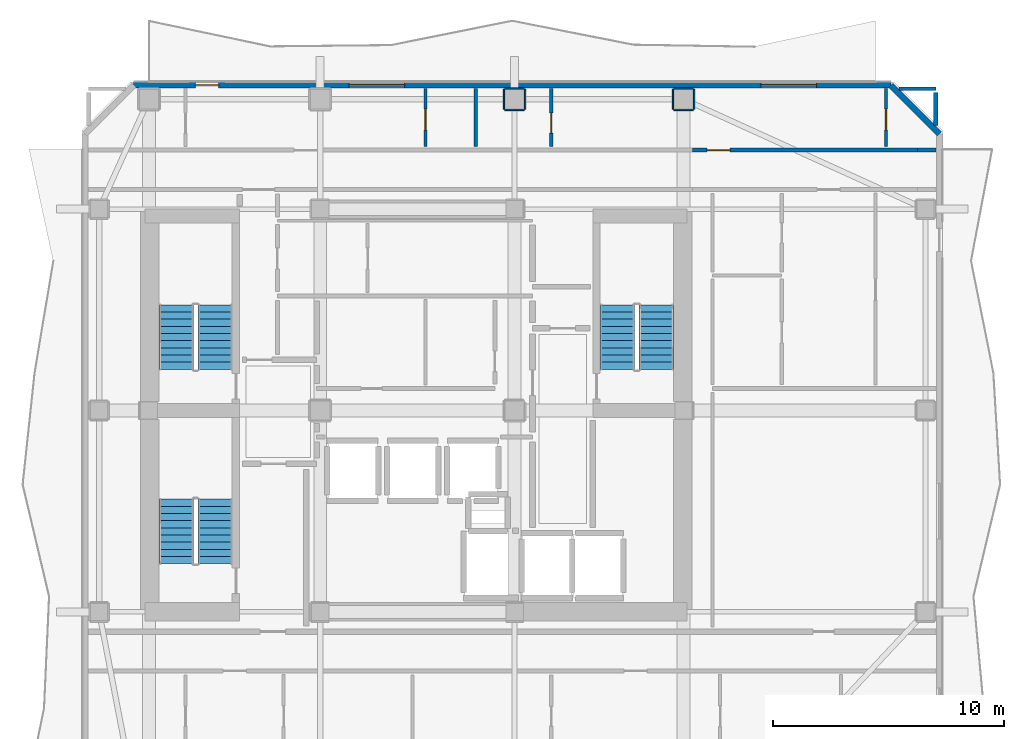
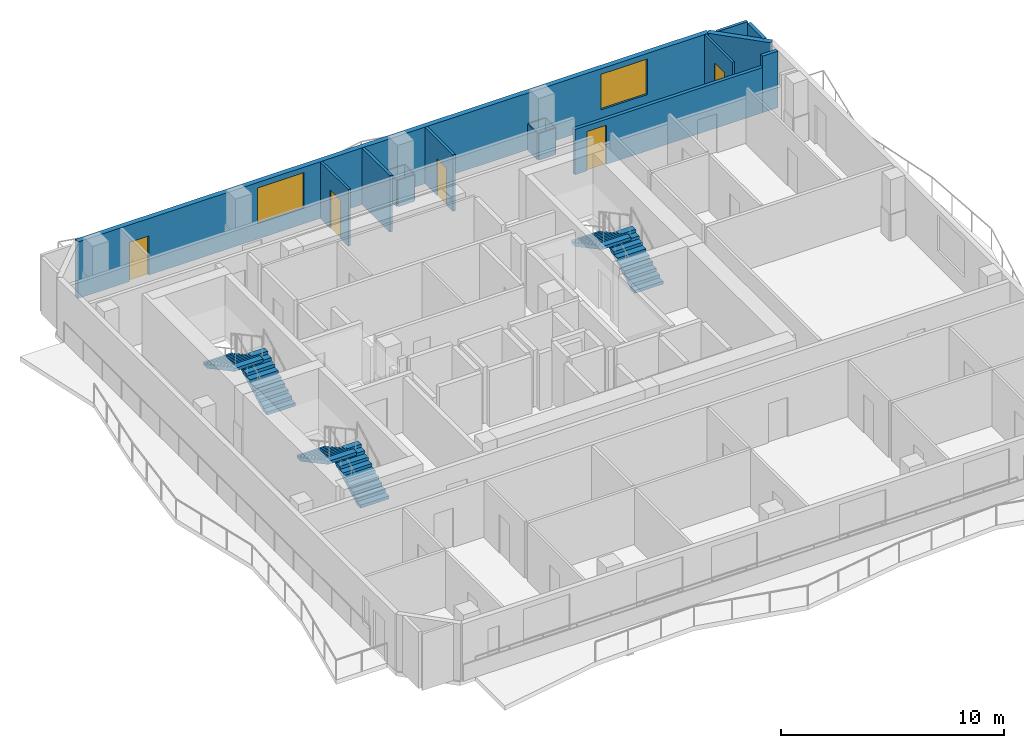
# One storey, part 6 of 9: 18 walls, 6 stair flights, 5 doors, 2 windows, 7 openings, 3 elements without a shape of their own.
"""IFC4 building model written with IfcOpenShell, lengths in metres."""

from ifc_helpers import new_model, si_unit, direction, frame, frame_2d, origin, place, context, subcontext, project, spatial, polyline, rectangle, outline, extrude, material, layer, layer_set, type_object, element, fill, aggregate, save


model = new_model("IFC4")

# Units and contexts
model_context = context("Model", 3, precision=1e-05, world=origin(), true_north=direction((0.0, 1.0)))
body_context = subcontext(model_context, "Body", "Model", "MODEL_VIEW")
ifc_project = project(units=[si_unit("LENGTHUNIT", "METRE"), si_unit("AREAUNIT", "SQUARE_METRE"), si_unit("VOLUMEUNIT", "CUBIC_METRE"), si_unit("PLANEANGLEUNIT", "RADIAN"), si_unit("MASSUNIT", "GRAM", prefix="KILO")], contexts=[model_context])

# Site, building, storey
site_placement = place(None, origin())
site = spatial("IfcSite", under=ifc_project, at=site_placement, CompositionType="ELEMENT")
building_placement = place(site_placement, origin())
building = spatial("IfcBuilding", under=site, at=building_placement, Name="Solanera Arch Residences", CompositionType="ELEMENT")
storey_placement = place(building_placement, frame((0.0, 0.0, 216.719970703125)))
storey = spatial("IfcBuildingStorey", under=building, at=storey_placement, Name="L63", CompositionType="ELEMENT", Elevation=216.719970703125)

# Walls
ifc_material_1 = material(Name="Fire-Rated Gypsum Stud Partition", Category="gypsum")
ifc_layer_1 = layer(ifc_material_1, 0.06005859375)
ifc_layer_set_1 = layer_set([ifc_layer_1], Name="Fire-Rated Gypsum Stud Partition")
wall_type_1 = type_object("IfcWallType", Name="Column Acoustic Furring Wall 60", PredefinedType="PARTITIONING", material=ifc_layer_set_1)
for number, where, z_axis, x_axis, name in (
    (1, (28.77490234375, 43.693115234375, 0.0), (0.0, 0.0, 1.0), (1.0, 0.0, 0.0), "L63 Column Furring 14S"),
    (2, (28.77490234375, 44.60693359375, 0.0), (0.0, 0.0, 1.0), (1.0, 0.0, 0.0), "L63 Column Furring 14N"),
):
    element("IfcWall", number, at=place(storey_placement, frame(where, z_axis=z_axis, x_axis=x_axis)), inside=storey, type_object=wall_type_1, Name=name, PredefinedType="PARTITIONING", context=body_context, shape_type="SweptSolid", body=[
        extrude(rectangle(XDim=0.85009765625, YDim=0.06005859375, at=frame_2d((0.425048828125, 0.0))), origin(), (0.0, 0.0, 1.0), 1.449951171875),
    ])
for number, where, z_axis, x_axis, name in (
    (3, (28.742919921875, 43.72509765625, 0.0), (0.0, 0.0, 1.0), (0.0, 1.0, 0.0), "L63 Column Furring 14W"),
    (4, (29.656982421875, 43.72509765625, 0.0), (0.0, 0.0, 1.0), (0.0, 1.0, 0.0), "L63 Column Furring 14E"),
):
    element("IfcWall", number, at=place(storey_placement, frame(where, z_axis=z_axis, x_axis=x_axis)), inside=storey, type_object=wall_type_1, Name=name, PredefinedType="PARTITIONING", context=body_context, shape_type="SweptSolid", body=[
        extrude(rectangle(XDim=0.849853515625, YDim=0.06005859375, at=frame_2d((0.4248046875, 0.0))), origin(), (0.0, 0.0, 1.0), 1.449951171875),
    ])
for number, where, z_axis, x_axis, name in (
    (5, (36.074951171875, 43.693115234375, 0.0), (0.0, 0.0, 1.0), (1.0, 0.0, 0.0), "L63 Column Furring 16S"),
    (6, (36.074951171875, 44.60693359375, 0.0), (0.0, 0.0, 1.0), (1.0, 0.0, 0.0), "L63 Column Furring 16N"),
):
    element("IfcWall", number, at=place(storey_placement, frame(where, z_axis=z_axis, x_axis=x_axis)), inside=storey, type_object=wall_type_1, Name=name, PredefinedType="PARTITIONING", context=body_context, shape_type="SweptSolid", body=[
        extrude(rectangle(XDim=0.85009765625, YDim=0.06005859375, at=frame_2d((0.425048828125, 0.0))), origin(), (0.0, 0.0, 1.0), 1.449951171875),
    ])
for number, where, z_axis, x_axis, name in (
    (7, (36.04296875, 43.72509765625, 0.0), (0.0, 0.0, 1.0), (0.0, 1.0, 0.0), "L63 Column Furring 16W"),
    (8, (36.95703125, 43.72509765625, 0.0), (0.0, 0.0, 1.0), (0.0, 1.0, 0.0), "L63 Column Furring 16E"),
):
    element("IfcWall", number, at=place(storey_placement, frame(where, z_axis=z_axis, x_axis=x_axis)), inside=storey, type_object=wall_type_1, Name=name, PredefinedType="PARTITIONING", context=body_context, shape_type="SweptSolid", body=[
        extrude(rectangle(XDim=0.849853515625, YDim=0.06005859375, at=frame_2d((0.4248046875, 0.0))), origin(), (0.0, 0.0, 1.0), 1.449951171875),
    ])

# Wall, opening, door
ifc_material_2 = material(Name="Autoclaved Aerated Concrete Blockwork", Category="masonry")
ifc_layer_2 = layer(ifc_material_2, 0.179931640625)
ifc_layer_set_2 = layer_set([ifc_layer_2], Name="Autoclaved Aerated Concrete Blockwork")
wall_type_2 = type_object("IfcWallType", Name="Corridor Fire Partition 180", PredefinedType="PARTITIONING", material=ifc_layer_set_2)
wall_1_placement = place(storey_placement, frame((36.888916015625, 41.949951171875, 0.0), z_axis=(0.0, 0.0, 1.0), x_axis=(1.0, 0.0, 0.0)))
wall_1 = element("IfcWall", 9, at=wall_1_placement, inside=storey, type_object=wall_type_2, Name="L63 Interior Partition H13 2", PredefinedType="PARTITIONING", context=body_context, shape_type="SweptSolid", body=[
    extrude(rectangle(XDim=9.72216796875, YDim=0.179931640625, at=frame_2d((4.861083984375, 0.0))), origin(), (0.0, 0.0, 1.0), 2.47705078125),
])
opening_1_placement = place(wall_1_placement, frame((0.6259765625, 0.0, 0.0)))
opening_1 = element("IfcOpeningElement", 10, at=opening_1_placement, cuts=wall_1, Name="Opening DI-01", PredefinedType="OPENING", context=body_context, shape_type="SweptSolid", body=[
    extrude(rectangle(XDim=1.0, YDim=2.14990234375, at=frame_2d((0.5, 1.074951171875))), frame((0.0, 0.10009765625, 0.0), z_axis=(0.0, -1.0, 0.0), x_axis=(1.0, 0.0, 0.0)), (0.0, 0.0, 1.0), 0.1999),
])
ifc_material_3 = material(Name="Fire-Rated Architectural Hardwood", Category="wood")
door_type_1 = type_object("IfcDoorType", Name="Unit Entrance Fire Door DI-01", OperationType="NOTDEFINED", PredefinedType="DOOR", material=ifc_material_3)
door_1_placement = place(opening_1_placement, origin())
door_1 = element("IfcDoor", 11, at=door_1_placement, inside=storey, type_object=door_type_1, Name="DR-L63-IN-029", OperationType="SINGLE_SWING_RIGHT", OverallHeight=2.14990234375, OverallWidth=1.0, PredefinedType="DOOR", context=body_context, shape_type="SweptSolid", body=[
    extrude(rectangle(XDim=1.0, YDim=2.14990234375, at=frame_2d((0.5, 1.074951171875))), frame((0.0, 0.02490234375, 0.0), z_axis=(0.0, -1.0, 0.0), x_axis=(1.0, 0.0, 0.0)), (0.0, 0.0, 1.0), 0.050048828125),
])
fill(opening_1, door_1)

# Walls
wall_2_placement = place(storey_placement, frame((46.611083984375, 41.949951171875, 0.0), z_axis=(0.0, 0.0, 1.0), x_axis=(1.0, 0.0, 0.0)))
element("IfcWall", 12, at=wall_2_placement, inside=storey, type_object=wall_type_2, Name="L63 Interior Partition H13 3", PredefinedType="PARTITIONING", context=body_context, shape_type="SweptSolid", body=[
    extrude(rectangle(XDim=0.802001953125, YDim=0.179931640625, at=frame_2d((0.40087890625, 0.0))), origin(), (0.0, 0.0, 1.0), 3.10009765625),
])
wall_3_placement = place(storey_placement, frame((47.39990234375, 43.010986328125, 0.0), z_axis=(0.0, 0.0, 1.0), x_axis=(0.0, 1.0, 0.0)))
element("IfcWall", 13, at=wall_3_placement, inside=storey, type_object=wall_type_2, Name="L63 Interior Partition V10 2", PredefinedType="PARTITIONING", context=body_context, shape_type="SweptSolid", body=[
    extrude(rectangle(XDim=1.4208984375, YDim=0.179931640625, at=frame_2d((0.71044921875, 0.0))), origin(), (0.0, 0.0, 1.0), 3.10009765625),
])

# Wall, openings, door, windows
ifc_material_4 = material(Name="Precast Concrete C35/45", Category="concrete")
ifc_layer_3 = layer(ifc_material_4, 0.260009765625)
ifc_layer_set_3 = layer_set([ifc_layer_3], Name="Precast Concrete C35/45")
wall_type_3 = type_object("IfcWallType", Name="Exterior Wall Precast Masonry-Frame 260", PredefinedType="STANDARD", material=ifc_layer_set_3)
wall_4_placement = place(storey_placement, frame((12.7451171875, 44.7548828125, 0.0), z_axis=(0.0, 0.0, 1.0), x_axis=(1.0, 0.0, 0.0)))
wall_4 = element("IfcWall", 14, at=wall_4_placement, inside=storey, type_object=wall_type_3, Name="L63 Tower Exterior Precast Masonry-Frame Wall N", PredefinedType="STANDARD", context=body_context, shape_type="SweptSolid", body=[
    extrude(rectangle(XDim=32.7099609375, YDim=0.260009765625, at=frame_2d((16.35498046875, 0.0))), origin(), (0.0, 0.0, 1.0), 3.10009765625),
])
opening_2_placement = place(wall_4_placement, frame((2.6650390625, 0.0, 0.0)))
opening_2 = element("IfcOpeningElement", 15, at=opening_2_placement, cuts=wall_4, Name="Opening DB-01", PredefinedType="OPENING", context=body_context, shape_type="SweptSolid", body=[
    extrude(rectangle(XDim=1.0, YDim=2.14990234375, at=frame_2d((0.5, 1.074951171875))), frame((0.0, 0.139892578125, 0.0), z_axis=(0.0, -1.0, 0.0), x_axis=(1.0, 0.0, 0.0)), (0.0, 0.0, 1.0), 0.28),
])
opening_3_placement = place(wall_4_placement, frame((9.302978515625, 0.0, 0.85009765625)))
opening_3 = element("IfcOpeningElement", 16, at=opening_3_placement, cuts=wall_4, Name="Opening W-05", PredefinedType="OPENING", context=body_context, shape_type="SweptSolid", body=[
    extrude(rectangle(XDim=2.39990234375, YDim=1.949951171875, at=frame_2d((1.199951171875, 0.97509765625))), frame((0.0, 0.139892578125, 0.0), z_axis=(0.0, -1.0, 0.0), x_axis=(1.0, 0.0, 0.0)), (0.0, 0.0, 1.0), 0.28),
])
opening_4_placement = place(wall_4_placement, frame((27.092041015625, 0.0, 0.85009765625)))
opening_4 = element("IfcOpeningElement", 17, at=opening_4_placement, cuts=wall_4, Name="Opening W-05", PredefinedType="OPENING", context=body_context, shape_type="SweptSolid", body=[
    extrude(rectangle(XDim=2.39990234375, YDim=1.949951171875, at=frame_2d((1.199951171875, 0.97509765625))), frame((0.0, 0.139892578125, 0.0), z_axis=(0.0, -1.0, 0.0), x_axis=(1.0, 0.0, 0.0)), (0.0, 0.0, 1.0), 0.28),
])
ifc_material_5 = material(Name="Anodised Aluminium Alloy 6063-T6", Category="aluminium")
door_type_2 = type_object("IfcDoorType", Name="Glazed Balcony Swing Door DB-01", OperationType="NOTDEFINED", PredefinedType="DOOR", material=ifc_material_5)
door_2_placement = place(opening_2_placement, origin())
door_2 = element("IfcDoor", 18, at=door_2_placement, inside=storey, type_object=door_type_2, Name="DR-L63-OUT-02", OperationType="SINGLE_SWING_RIGHT", OverallHeight=2.14990234375, OverallWidth=1.0, PredefinedType="DOOR", context=body_context, shape_type="SweptSolid", body=[
    extrude(rectangle(XDim=1.0, YDim=2.14990234375, at=frame_2d((0.5, 1.074951171875))), frame((0.0, 0.02490234375, 0.0), z_axis=(0.0, -1.0, 0.0), x_axis=(1.0, 0.0, 0.0)), (0.0, 0.0, 1.0), 0.050048828125),
])
fill(opening_2, door_2)
ifc_material_6 = material(Name="Double Glazed Low-E Laminated Glass", Category="glass")
window_type = type_object("IfcWindowType", Name="Punched Window W-05", PartitioningType="TRIPLE_PANEL_VERTICAL", PredefinedType="WINDOW", material=ifc_material_6)
window_1_placement = place(opening_3_placement, origin())
window_1 = element("IfcWindow", 19, at=window_1_placement, inside=storey, type_object=window_type, Name="L63 6303-LIV Punched Window", OverallHeight=1.949951171875, OverallWidth=2.39990234375, PartitioningType="SINGLE_PANEL", PredefinedType="WINDOW", context=body_context, shape_type="SweptSolid", body=[
    extrude(rectangle(XDim=2.39990234375, YDim=1.949951171875, at=frame_2d((1.199951171875, 0.97509765625))), frame((0.0, 0.030029296875, 0.0), z_axis=(0.0, -1.0, 0.0), x_axis=(1.0, 0.0, 0.0)), (0.0, 0.0, 1.0), 0.06005859375),
])
fill(opening_3, window_1)
window_2_placement = place(opening_4_placement, origin())
window_2 = element("IfcWindow", 20, at=window_2_placement, inside=storey, type_object=window_type, Name="L63 6304-LIV Punched Window", OverallHeight=1.949951171875, OverallWidth=2.39990234375, PartitioningType="SINGLE_PANEL", PredefinedType="WINDOW", context=body_context, shape_type="SweptSolid", body=[
    extrude(rectangle(XDim=2.39990234375, YDim=1.949951171875, at=frame_2d((1.199951171875, 0.97509765625))), frame((0.0, 0.030029296875, 0.0), z_axis=(0.0, -1.0, 0.0), x_axis=(1.0, 0.0, 0.0)), (0.0, 0.0, 1.0), 0.06005859375),
])
fill(opening_4, window_2)

# Wall
wall_5_placement = place(storey_placement, frame((45.455078125, 44.7548828125, 0.0), z_axis=(0.0, 0.0, 1.0), x_axis=(0.707106781187, -0.707106781187, 0.0)))
element("IfcWall", 21, at=wall_5_placement, inside=storey, type_object=wall_type_3, Name="L63 Tower Exterior Precast Masonry-Frame Wall CH3", PredefinedType="STANDARD", context=body_context, shape_type="SweptSolid", body=[
    extrude(rectangle(XDim=2.9697265625, YDim=0.260009765625, at=frame_2d((1.48486328125, 0.0))), origin(), (0.0, 0.0, 1.0), 3.10009765625),
])

# Wall, opening, door
ifc_material_7 = material(Name="Fire-Rated Gypsum Stud Partition", Category="gypsum")
ifc_layer_4 = layer(ifc_material_7, 0.1201171875)
ifc_layer_set_4 = layer_set([ifc_layer_4], Name="Fire-Rated Gypsum Stud Partition")
wall_type_4 = type_object("IfcWallType", Name="Unit Drywall Partition 120", PredefinedType="PARTITIONING", material=ifc_layer_set_4)
wall_6_placement = place(storey_placement, frame((25.35009765625, 42.10791015625, 0.0), z_axis=(0.0, 0.0, 1.0), x_axis=(0.0, 1.0, 0.0)))
wall_6 = element("IfcWall", 22, at=wall_6_placement, inside=storey, type_object=wall_type_4, Name="L63 Interior Partition V22", PredefinedType="PARTITIONING", context=body_context, shape_type="SweptSolid", body=[
    extrude(rectangle(XDim=2.505126953125, YDim=0.1201171875, at=frame_2d((1.25244140625, 0.0))), origin(), (0.0, 0.0, 1.0), 3.10009765625),
])
opening_5_placement = place(wall_6_placement, frame((0.717041015625, 0.0, 0.0)))
opening_5 = element("IfcOpeningElement", 23, at=opening_5_placement, cuts=wall_6, Name="Opening DI-02", PredefinedType="OPENING", context=body_context, shape_type="SweptSolid", body=[
    extrude(rectangle(XDim=0.89990234375, YDim=2.10009765625, at=frame_2d((0.449951171875, 1.050048828125))), frame((0.0, 0.070068359375, 0.0), z_axis=(0.0, -1.0, 0.0), x_axis=(1.0, 0.0, 0.0)), (0.0, 0.0, 1.0), 0.1401),
])
ifc_material_8 = material(Name="Fire-Rated Architectural Hardwood", Category="wood")
door_type_3 = type_object("IfcDoorType", Name="Suite Room Swing Door DI-02", OperationType="NOTDEFINED", PredefinedType="DOOR", material=ifc_material_8)
door_3_placement = place(opening_5_placement, origin())
door_3 = element("IfcDoor", 24, at=door_3_placement, inside=storey, type_object=door_type_3, Name="DR-L63-IN-028", OperationType="SINGLE_SWING_LEFT", OverallHeight=2.10009765625, OverallWidth=0.89990234375, PredefinedType="DOOR", context=body_context, shape_type="SweptSolid", body=[
    extrude(rectangle(XDim=0.89990234375, YDim=2.10009765625, at=frame_2d((0.449951171875, 1.050048828125))), frame((0.0, 0.02490234375, 0.0), z_axis=(0.0, -1.0, 0.0), x_axis=(1.0, 0.0, 0.0)), (0.0, 0.0, 1.0), 0.050048828125),
])
fill(opening_5, door_3)

wall_7_placement = place(storey_placement, frame((45.25, 42.10791015625, 0.0), z_axis=(0.0, 0.0, 1.0), x_axis=(0.0, 1.0, 0.0)))
wall_7 = element("IfcWall", 25, at=wall_7_placement, inside=storey, type_object=wall_type_4, Name="L63 Interior Partition V26", PredefinedType="PARTITIONING", context=body_context, shape_type="SweptSolid", body=[
    extrude(rectangle(XDim=2.505126953125, YDim=0.1201171875, at=frame_2d((1.25244140625, 0.0))), origin(), (0.0, 0.0, 1.0), 3.10009765625),
])
opening_6_placement = place(wall_7_placement, frame((0.717041015625, 0.0, 0.0)))
opening_6 = element("IfcOpeningElement", 26, at=opening_6_placement, cuts=wall_7, Name="Opening DI-02", PredefinedType="OPENING", context=body_context, shape_type="SweptSolid", body=[
    extrude(rectangle(XDim=0.89990234375, YDim=2.10009765625, at=frame_2d((0.449951171875, 1.050048828125))), frame((0.0, 0.070068359375, 0.0), z_axis=(0.0, -1.0, 0.0), x_axis=(1.0, 0.0, 0.0)), (0.0, 0.0, 1.0), 0.1401),
])
door_4_placement = place(opening_6_placement, origin())
door_4 = element("IfcDoor", 27, at=door_4_placement, inside=storey, type_object=door_type_3, Name="DR-L63-IN-031", OperationType="SINGLE_SWING_RIGHT", OverallHeight=2.10009765625, OverallWidth=0.89990234375, PredefinedType="DOOR", context=body_context, shape_type="SweptSolid", body=[
    extrude(rectangle(XDim=0.89990234375, YDim=2.10009765625, at=frame_2d((0.449951171875, 1.050048828125))), frame((0.0, 0.02490234375, 0.0), z_axis=(0.0, -1.0, 0.0), x_axis=(1.0, 0.0, 0.0)), (0.0, 0.0, 1.0), 0.050048828125),
])
fill(opening_6, door_4)

# Walls
ifc_material_9 = material(Name="Autoclaved Aerated Concrete Blockwork", Category="masonry")
ifc_layer_5 = layer(ifc_material_9, 0.139892578125)
ifc_layer_set_5 = layer_set([ifc_layer_5], Name="Autoclaved Aerated Concrete Blockwork")
wall_type_5 = type_object("IfcWallType", Name="Wet-Room Partition 140", PredefinedType="PARTITIONING", material=ifc_layer_set_5)
wall_8_placement = place(storey_placement, frame((45.81103515625, 44.60009765625, 0.0), z_axis=(0.0, 0.0, 1.0), x_axis=(1.0, 0.0, 0.0)))
element("IfcWall", 28, at=wall_8_placement, inside=storey, type_object=wall_type_5, Name="L63 Interior Partition H18 2", PredefinedType="PARTITIONING", context=body_context, shape_type="SweptSolid", body=[
    extrude(rectangle(XDim=1.5888671875, YDim=0.139892578125, at=frame_2d((0.79443359375, 0.0))), origin(), (0.0, 0.0, 1.0), 3.10009765625),
])
wall_9_placement = place(storey_placement, frame((27.52001953125, 42.117919921875, 0.0), z_axis=(0.0, 0.0, 1.0), x_axis=(0.0, 1.0, 0.0)))
element("IfcWall", 29, at=wall_9_placement, inside=storey, type_object=wall_type_5, Name="L63 Interior Partition V14", PredefinedType="PARTITIONING", context=body_context, shape_type="SweptSolid", body=[
    extrude(rectangle(XDim=2.4951171875, YDim=0.139892578125, at=frame_2d((1.24755859375, 0.0))), origin(), (0.0, 0.0, 1.0), 3.10009765625),
])

# Wall, opening, door
wall_10_placement = place(storey_placement, frame((30.780029296875, 42.117919921875, 0.0), z_axis=(0.0, 0.0, 1.0), x_axis=(0.0, 1.0, 0.0)))
wall_10 = element("IfcWall", 30, at=wall_10_placement, inside=storey, type_object=wall_type_5, Name="L63 Interior Partition V16", PredefinedType="PARTITIONING", context=body_context, shape_type="SweptSolid", body=[
    extrude(rectangle(XDim=2.4951171875, YDim=0.139892578125, at=frame_2d((1.24755859375, 0.0))), origin(), (0.0, 0.0, 1.0), 3.10009765625),
])
opening_7_placement = place(wall_10_placement, frame((0.56689453125, 0.0, 0.0)))
opening_7 = element("IfcOpeningElement", 31, at=opening_7_placement, cuts=wall_10, Name="Opening DI-05", PredefinedType="OPENING", context=body_context, shape_type="SweptSolid", body=[
    extrude(rectangle(XDim=0.860107421875, YDim=2.02001953125, at=frame_2d((0.43017578125, 1.010009765625))), frame((0.0, 0.079833984375, 0.0), z_axis=(0.0, -1.0, 0.0), x_axis=(1.0, 0.0, 0.0)), (0.0, 0.0, 1.0), 0.1599),
])
ifc_material_10 = material(Name="Fire-Rated Architectural Hardwood", Category="wood")
door_type_4 = type_object("IfcDoorType", Name="Bathroom Swing Door DI-05", OperationType="NOTDEFINED", PredefinedType="DOOR", material=ifc_material_10)
door_5_placement = place(opening_7_placement, origin())
door_5 = element("IfcDoor", 32, at=door_5_placement, inside=storey, type_object=door_type_4, Name="DR-L63-IN-030", OperationType="SINGLE_SWING_LEFT", OverallHeight=2.02001953125, OverallWidth=0.860107421875, PredefinedType="DOOR", context=body_context, shape_type="SweptSolid", body=[
    extrude(rectangle(XDim=0.860107421875, YDim=2.02001953125, at=frame_2d((0.43017578125, 1.010009765625))), frame((0.0, 0.02490234375, 0.0), z_axis=(0.0, -1.0, 0.0), x_axis=(1.0, 0.0, 0.0)), (0.0, 0.0, 1.0), 0.050048828125),
])
fill(opening_7, door_5)

# Stair, stair flights
ifc_material_11 = material(Name="Concrete C40/50 (f'c = 45 MPa)", Category="concrete")
stair_type = type_object("IfcStairType", Name="Tower Dogleg Exit Stair 1480", PredefinedType="HALF_TURN_STAIR", material=ifc_material_11)
stair_1_placement = place(storey_placement, origin())
stair_1 = element("IfcStair", 33, at=stair_1_placement, inside=storey, type_object=stair_type, Name="L63 Tower Core Exit Stair 1", PredefinedType="HALF_TURN_STAIR")
ifc_material_12 = material(Name="Concrete C40/50 (f'c = 45 MPa)", Category="concrete")
stair_flight_type = type_object("IfcStairFlightType", Name="Tower Precast Stair Flight 1480", PredefinedType="STRAIGHT", material=ifc_material_12)
stair_flight_1_placement = place(storey_placement, frame((16.260009765625, 32.47998046875, 0.0), z_axis=(0.0, 0.0, 1.0), x_axis=(0.0, 1.0, 0.0)))
stair_flight_1 = element("IfcStairFlight", 34, at=stair_flight_1_placement, type_object=stair_flight_type, Name="ST-T1 flight 1", NumberOfRisers=10, NumberOfTreads=9, PredefinedType="STRAIGHT", RiserHeight=0.166, TreadLength=0.31, context=body_context, shape_type="SweptSolid", body=[
    extrude(outline(polyline([(0.0, 0.0), (0.0, 0.166015625), (0.31005859375, 0.166015625), (0.31005859375, 0.33203125), (0.6201171875, 0.33203125), (0.6201171875, 0.498046875), (0.929931640625, 0.498046875), (0.929931640625, 0.6640625), (1.239990234375, 0.6640625), (1.239990234375, 0.830078125), (1.550048828125, 0.830078125), (1.550048828125, 0.99609375), (1.860107421875, 0.99609375), (1.860107421875, 1.162109375), (2.169921875, 1.162109375), (2.169921875, 1.327880859375), (2.47998046875, 1.327880859375), (2.47998046875, 1.493896484375), (2.7900390625, 1.493896484375), (2.7900390625, 1.659912109375), (2.7900390625, 1.323974609375), (0.317626953125, 0.0), (0.0, 0.0)])), frame((0.0, 0.739990234375, 0.0), z_axis=(0.0, -1.0, 0.0), x_axis=(1.0, 0.0, 0.0)), (0.0, 0.0, 1.0), 1.47998046875),
])
stair_flight_2_placement = place(storey_placement, frame((14.580078125, 35.27001953125, 1.659912109375), z_axis=(0.0, 0.0, 1.0), x_axis=(0.0, -1.0, 0.0)))
stair_flight_2 = element("IfcStairFlight", 35, at=stair_flight_2_placement, type_object=stair_flight_type, Name="ST-T1 flight 2", NumberOfRisers=10, NumberOfTreads=9, PredefinedType="STRAIGHT", RiserHeight=0.166, TreadLength=0.31, context=body_context, shape_type="SweptSolid", body=[
    extrude(outline(polyline([(0.0, 0.0), (0.0, 0.166015625), (0.31005859375, 0.166015625), (0.31005859375, 0.33203125), (0.6201171875, 0.33203125), (0.6201171875, 0.498046875), (0.929931640625, 0.498046875), (0.929931640625, 0.6640625), (1.239990234375, 0.6640625), (1.239990234375, 0.830078125), (1.550048828125, 0.830078125), (1.550048828125, 0.99609375), (1.860107421875, 0.99609375), (1.860107421875, 1.162109375), (2.169921875, 1.162109375), (2.169921875, 1.327880859375), (2.47998046875, 1.327880859375), (2.47998046875, 1.493896484375), (2.7900390625, 1.493896484375), (2.7900390625, 1.659912109375), (2.7900390625, 1.323974609375), (0.317626953125, 0.0), (0.0, 0.0)])), frame((0.0, 0.739990234375, 0.0), z_axis=(0.0, -1.0, 0.0), x_axis=(1.0, 0.0, 0.0)), (0.0, 0.0, 1.0), 1.47998046875),
])
aggregate(stair_1, [stair_flight_1, stair_flight_2])

stair_2_placement = place(storey_placement, origin())
stair_2 = element("IfcStair", 36, at=stair_2_placement, inside=storey, type_object=stair_type, Name="L63 Tower Core Exit Stair 2", PredefinedType="HALF_TURN_STAIR")
stair_flight_3_placement = place(storey_placement, frame((35.320068359375, 32.47998046875, 0.0), z_axis=(0.0, 0.0, 1.0), x_axis=(0.0, 1.0, 0.0)))
stair_flight_3 = element("IfcStairFlight", 37, at=stair_flight_3_placement, type_object=stair_flight_type, Name="ST-T2 flight 1", NumberOfRisers=10, NumberOfTreads=9, PredefinedType="STRAIGHT", RiserHeight=0.166, TreadLength=0.31, context=body_context, shape_type="SweptSolid", body=[
    extrude(outline(polyline([(0.0, 0.0), (0.0, 0.166015625), (0.31005859375, 0.166015625), (0.31005859375, 0.33203125), (0.6201171875, 0.33203125), (0.6201171875, 0.498046875), (0.929931640625, 0.498046875), (0.929931640625, 0.6640625), (1.239990234375, 0.6640625), (1.239990234375, 0.830078125), (1.550048828125, 0.830078125), (1.550048828125, 0.99609375), (1.860107421875, 0.99609375), (1.860107421875, 1.162109375), (2.169921875, 1.162109375), (2.169921875, 1.327880859375), (2.47998046875, 1.327880859375), (2.47998046875, 1.493896484375), (2.7900390625, 1.493896484375), (2.7900390625, 1.659912109375), (2.7900390625, 1.323974609375), (0.317626953125, 0.0), (0.0, 0.0)])), frame((0.0, 0.739990234375, 0.0), z_axis=(0.0, -1.0, 0.0), x_axis=(1.0, 0.0, 0.0)), (0.0, 0.0, 1.0), 1.47998046875),
])
stair_flight_4_placement = place(storey_placement, frame((33.639892578125, 35.27001953125, 1.659912109375), z_axis=(0.0, 0.0, 1.0), x_axis=(0.0, -1.0, 0.0)))
stair_flight_4 = element("IfcStairFlight", 38, at=stair_flight_4_placement, type_object=stair_flight_type, Name="ST-T2 flight 2", NumberOfRisers=10, NumberOfTreads=9, PredefinedType="STRAIGHT", RiserHeight=0.166, TreadLength=0.31, context=body_context, shape_type="SweptSolid", body=[
    extrude(outline(polyline([(0.0, 0.0), (0.0, 0.166015625), (0.31005859375, 0.166015625), (0.31005859375, 0.33203125), (0.6201171875, 0.33203125), (0.6201171875, 0.498046875), (0.929931640625, 0.498046875), (0.929931640625, 0.6640625), (1.239990234375, 0.6640625), (1.239990234375, 0.830078125), (1.550048828125, 0.830078125), (1.550048828125, 0.99609375), (1.860107421875, 0.99609375), (1.860107421875, 1.162109375), (2.169921875, 1.162109375), (2.169921875, 1.327880859375), (2.47998046875, 1.327880859375), (2.47998046875, 1.493896484375), (2.7900390625, 1.493896484375), (2.7900390625, 1.659912109375), (2.7900390625, 1.323974609375), (0.317626953125, 0.0), (0.0, 0.0)])), frame((0.0, 0.739990234375, 0.0), z_axis=(0.0, -1.0, 0.0), x_axis=(1.0, 0.0, 0.0)), (0.0, 0.0, 1.0), 1.47998046875),
])
aggregate(stair_2, [stair_flight_3, stair_flight_4])

stair_3_placement = place(storey_placement, origin())
stair_3 = element("IfcStair", 39, at=stair_3_placement, inside=storey, type_object=stair_type, Name="L63 Tower Core Exit Stair 3", PredefinedType="HALF_TURN_STAIR")
stair_flight_5_placement = place(storey_placement, frame((16.260009765625, 24.080078125, 0.0), z_axis=(0.0, 0.0, 1.0), x_axis=(0.0, 1.0, 0.0)))
stair_flight_5 = element("IfcStairFlight", 40, at=stair_flight_5_placement, type_object=stair_flight_type, Name="ST-T3 flight 1", NumberOfRisers=10, NumberOfTreads=9, PredefinedType="STRAIGHT", RiserHeight=0.166, TreadLength=0.31, context=body_context, shape_type="SweptSolid", body=[
    extrude(outline(polyline([(0.0, 0.0), (0.0, 0.166015625), (0.31005859375, 0.166015625), (0.31005859375, 0.33203125), (0.6201171875, 0.33203125), (0.6201171875, 0.498046875), (0.929931640625, 0.498046875), (0.929931640625, 0.6640625), (1.239990234375, 0.6640625), (1.239990234375, 0.830078125), (1.550048828125, 0.830078125), (1.550048828125, 0.99609375), (1.860107421875, 0.99609375), (1.860107421875, 1.162109375), (2.169921875, 1.162109375), (2.169921875, 1.327880859375), (2.47998046875, 1.327880859375), (2.47998046875, 1.493896484375), (2.7900390625, 1.493896484375), (2.7900390625, 1.659912109375), (2.7900390625, 1.323974609375), (0.317626953125, 0.0), (0.0, 0.0)])), frame((0.0, 0.739990234375, 0.0), z_axis=(0.0, -1.0, 0.0), x_axis=(1.0, 0.0, 0.0)), (0.0, 0.0, 1.0), 1.47998046875),
])
stair_flight_6_placement = place(storey_placement, frame((14.580078125, 26.8701171875, 1.659912109375), z_axis=(0.0, 0.0, 1.0), x_axis=(0.0, -1.0, 0.0)))
stair_flight_6 = element("IfcStairFlight", 41, at=stair_flight_6_placement, type_object=stair_flight_type, Name="ST-T3 flight 2", NumberOfRisers=10, NumberOfTreads=9, PredefinedType="STRAIGHT", RiserHeight=0.166, TreadLength=0.31, context=body_context, shape_type="SweptSolid", body=[
    extrude(outline(polyline([(0.0, 0.0), (0.0, 0.166015625), (0.31005859375, 0.166015625), (0.31005859375, 0.33203125), (0.6201171875, 0.33203125), (0.6201171875, 0.498046875), (0.929931640625, 0.498046875), (0.929931640625, 0.6640625), (1.239990234375, 0.6640625), (1.239990234375, 0.830078125), (1.550048828125, 0.830078125), (1.550048828125, 0.99609375), (1.860107421875, 0.99609375), (1.860107421875, 1.162109375), (2.169921875, 1.162109375), (2.169921875, 1.327880859375), (2.47998046875, 1.327880859375), (2.47998046875, 1.493896484375), (2.7900390625, 1.493896484375), (2.7900390625, 1.659912109375), (2.7900390625, 1.323974609375), (0.317626953125, 0.0), (0.0, 0.0)])), frame((0.0, 0.739990234375, 0.0), z_axis=(0.0, -1.0, 0.0), x_axis=(1.0, 0.0, 0.0)), (0.0, 0.0, 1.0), 1.47998046875),
])
aggregate(stair_3, [stair_flight_5, stair_flight_6])

save(model, "model.ifc")
